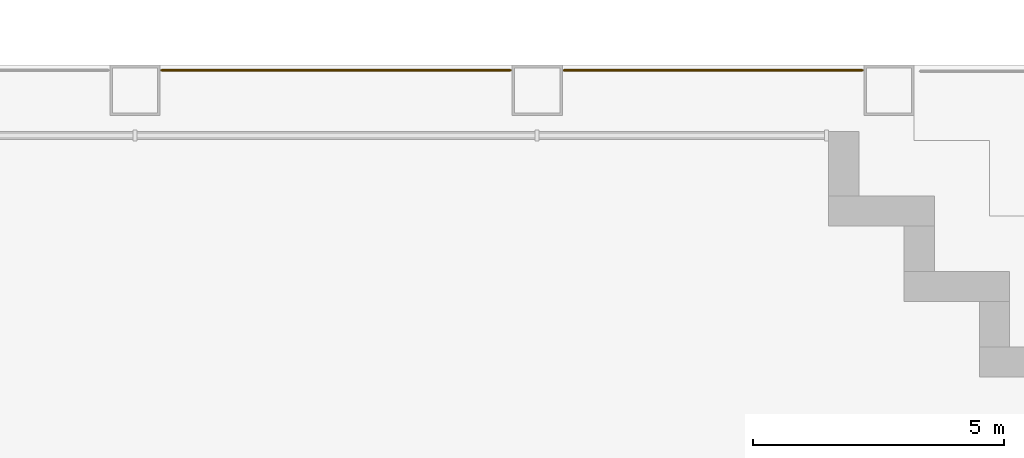
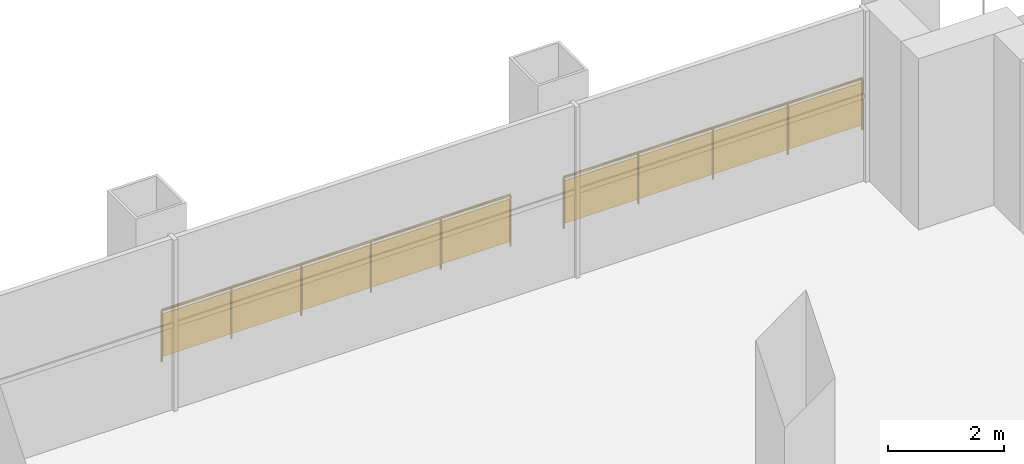
# One storey, part 16 of 16: 2 railings.
"""IFC4 building model written with IfcOpenShell, lengths in metres."""

from ifc_helpers import new_model, si_unit, direction, frame, origin, origin_2d, place, context, subcontext, project, spatial, rectangle, circle, extrude, material, type_object, element, save


model = new_model("IFC4")

# Units and contexts
model_context = context("Model", 3, precision=1e-05, world=origin(), true_north=direction((0.0, 1.0)))
body_context = subcontext(model_context, "Body", "Model", "MODEL_VIEW")
ifc_project = project(units=[si_unit("LENGTHUNIT", "METRE"), si_unit("AREAUNIT", "SQUARE_METRE"), si_unit("VOLUMEUNIT", "CUBIC_METRE"), si_unit("PLANEANGLEUNIT", "RADIAN"), si_unit("MASSUNIT", "GRAM", prefix="KILO")], contexts=[model_context])

# Site, building, storey
site_placement = place(None, origin())
site = spatial("IfcSite", under=ifc_project, at=site_placement, CompositionType="ELEMENT")
building_placement = place(site_placement, origin())
building = spatial("IfcBuilding", under=site, at=building_placement, Name="Vidyagriha Tower", CompositionType="ELEMENT")
storey_placement = place(building_placement, frame((0.0, 0.0, 26.0)))
storey = spatial("IfcBuildingStorey", under=building, at=storey_placement, Name="L06", CompositionType="ELEMENT", Elevation=26.0)

# Railings
ifc_material = material(Name="Steel ASTM A500 Grade C black painted", Category="steel")
railing_type = type_object("IfcRailingType", Name="Gallery guard 1100", PredefinedType="GUARDRAIL", material=ifc_material)
railing_1_placement = place(storey_placement, frame((18.530029296875, 19.89990234375, 0.0)))
element("IfcRailing", 1, at=railing_1_placement, inside=storey, type_object=railing_type, Name="Gallery guard L06 5", PredefinedType="GUARDRAIL", context=body_context, shape_type="SweptSolid", body=[
    extrude(circle(Radius=0.02490234375, at=origin_2d()), frame((0.0, 0.0, 1.0751953125), z_axis=(1.0, 0.0, 0.0), x_axis=(0.0, 1.0, 0.0)), (0.0, 0.0, 1.0), 6.93994140625),
    extrude(circle(Radius=0.02001953125, at=origin_2d()), origin(), (0.0, 0.0, 1.0), 1.050048828125),
    extrude(circle(Radius=0.02001953125, at=origin_2d()), frame((1.387939453125, 0.0, 0.0)), (0.0, 0.0, 1.0), 1.050048828125),
    extrude(circle(Radius=0.02001953125, at=origin_2d()), frame((2.77587890625, 0.0, 0.0)), (0.0, 0.0, 1.0), 1.050048828125),
    extrude(circle(Radius=0.02001953125, at=origin_2d()), frame((4.1640625, 0.0, 0.0)), (0.0, 0.0, 1.0), 1.050048828125),
    extrude(circle(Radius=0.02001953125, at=origin_2d()), frame((5.552001953125, 0.0, 0.0)), (0.0, 0.0, 1.0), 1.050048828125),
    extrude(circle(Radius=0.02001953125, at=origin_2d()), frame((6.93994140625, 0.0, 0.0)), (0.0, 0.0, 1.0), 1.050048828125),
    extrude(rectangle(XDim=0.010009765625, YDim=0.900146484375, at=origin_2d()), frame((0.0, 0.0, 0.550048828125), z_axis=(1.0, 0.0, 0.0), x_axis=(0.0, 1.0, 0.0)), (0.0, 0.0, 1.0), 6.93994140625),
])
railing_2_placement = place(storey_placement, frame((26.530029296875, 19.89990234375, 0.0)))
element("IfcRailing", 2, at=railing_2_placement, inside=storey, type_object=railing_type, Name="Gallery guard L06 6", PredefinedType="GUARDRAIL", context=body_context, shape_type="SweptSolid", body=[
    extrude(circle(Radius=0.02490234375, at=origin_2d()), frame((0.0, 0.0, 1.0751953125), z_axis=(1.0, 0.0, 0.0), x_axis=(0.0, 1.0, 0.0)), (0.0, 0.0, 1.0), 5.93994140625),
    extrude(circle(Radius=0.02001953125, at=origin_2d()), origin(), (0.0, 0.0, 1.0), 1.050048828125),
    extrude(circle(Radius=0.02001953125, at=origin_2d()), frame((1.48486328125, 0.0, 0.0)), (0.0, 0.0, 1.0), 1.050048828125),
    extrude(circle(Radius=0.02001953125, at=origin_2d()), frame((2.969970703125, 0.0, 0.0)), (0.0, 0.0, 1.0), 1.050048828125),
    extrude(circle(Radius=0.02001953125, at=origin_2d()), frame((4.455078125, 0.0, 0.0)), (0.0, 0.0, 1.0), 1.050048828125),
    extrude(circle(Radius=0.02001953125, at=origin_2d()), frame((5.93994140625, 0.0, 0.0)), (0.0, 0.0, 1.0), 1.050048828125),
    extrude(rectangle(XDim=0.010009765625, YDim=0.900146484375, at=origin_2d()), frame((0.0, 0.0, 0.550048828125), z_axis=(1.0, 0.0, 0.0), x_axis=(0.0, 1.0, 0.0)), (0.0, 0.0, 1.0), 5.93994140625),
])

save(model, "model.ifc")
